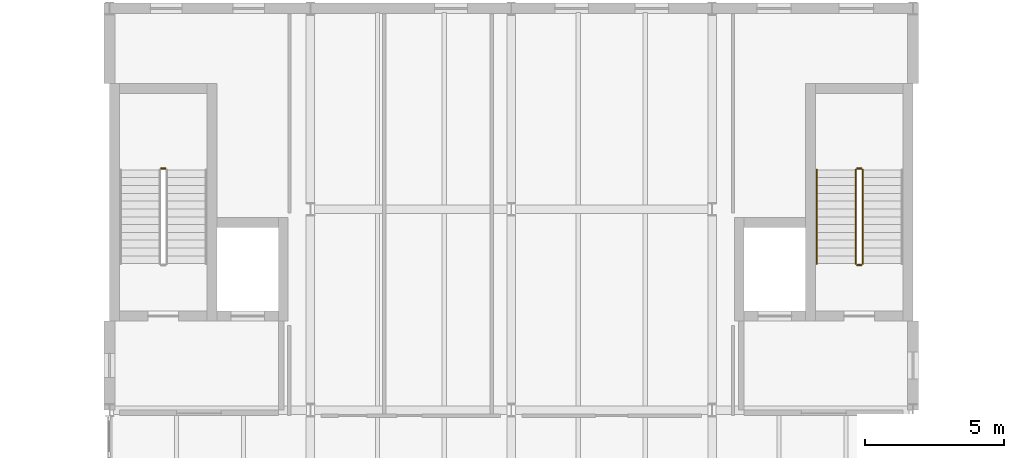
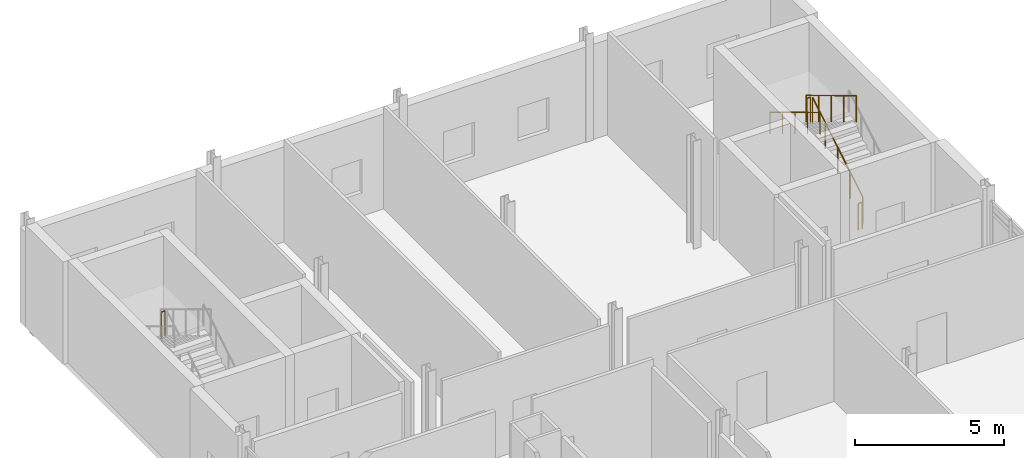
# One storey, part 74 of 76: 6 railings.
"""IFC4 building model written with IfcOpenShell, lengths in metres."""

import ifcopenshell
import ifcopenshell.guid

model = None  # the IFC model being written
_history = None  # IfcOwnerHistory: only IFC2X3 demands one
_inside = {}  # id of a spatial element -> (the spatial element, [elements in it])
_under = {}  # id of a project, library or spatial element -> (it, [spatial elements below it])
_declared = {}  # id of a project -> (the project, [libraries it declares])
_typed = {}  # id of a type object -> (the type object, [elements of that type])
_made_of = {}  # id of a material, layer set ... -> (it, [elements and type objects made of it])


def new_model(schema):
    """Start an empty IFC model of exactly this schema.

    Asked for "IFC4X3", IfcOpenShell would pick the latest addendum, in which some entities
    have other attributes; the version numbers below select the first issue.
    IFC2X3 requires an IfcOwnerHistory on every rooted entity: one is made here for all.
    """
    global model, _history
    if schema == "IFC4X3":
        model = ifcopenshell.file(schema_version=(4, 3, 0, 0))
    else:
        model = ifcopenshell.file(schema=schema)
    _inside.clear()
    _under.clear()
    _declared.clear()
    _typed.clear()
    _made_of.clear()
    _history = None
    if model.schema == "IFC2X3":
        org = make("IfcOrganization", Name="unknown")
        user = make(
            "IfcPersonAndOrganization",
            ThePerson=make("IfcPerson", FamilyName="unknown"),
            TheOrganization=org,
        )
        app = make(
            "IfcApplication",
            ApplicationDeveloper=org,
            Version="unknown",
            ApplicationFullName="unknown",
            ApplicationIdentifier="unknown",
        )
        _history = make(
            "IfcOwnerHistory",
            OwningUser=user,
            OwningApplication=app,
            ChangeAction="ADDED",
            CreationDate=0,
        )
    return model


def make(cls, **values):
    """One entity of the class cls with the attributes given. An attribute that is None is left unset."""
    return model.create_entity(
        cls, **{name: value for name, value in values.items() if value is not None}
    )


def rooted(cls, **values):
    """An entity with a GlobalId (a new one), such as an element, a storey or a relation."""
    return make(cls, GlobalId=ifcopenshell.guid.new(), OwnerHistory=_history, **values)


def si_unit(unit_type, name, prefix=None):
    """IfcSIUnit, for example si_unit("LENGTHUNIT", "METRE", prefix="MILLI")."""
    return make("IfcSIUnit", UnitType=unit_type, Prefix=prefix, Name=name)


def assignment(units):
    """IfcUnitAssignment: the units of a project."""
    return None if units is None else make("IfcUnitAssignment", Units=units)


def point(xyz):
    """IfcCartesianPoint."""
    return None if xyz is None else make("IfcCartesianPoint", Coordinates=xyz)


def direction(xyz):
    """IfcDirection."""
    return None if xyz is None else make("IfcDirection", DirectionRatios=xyz)


def frame(location, z_axis=None, x_axis=None):
    """IfcAxis2Placement3D, a coordinate frame: its origin and axes. An axis left out is left unset."""
    return make(
        "IfcAxis2Placement3D",
        Location=point(location),
        Axis=direction(z_axis),
        RefDirection=direction(x_axis),
    )


def frame_2d(location, x_axis=None):
    """IfcAxis2Placement2D, a coordinate frame in the plane: its origin and x axis."""
    return make(
        "IfcAxis2Placement2D", Location=point(location), RefDirection=direction(x_axis)
    )


def origin():
    """The frame at (0, 0, 0) with its axes left unset."""
    return frame((0.0, 0.0, 0.0))


def origin_2d():
    """The frame at (0, 0) in the plane with its x axis left unset."""
    return frame_2d((0.0, 0.0))


def place(relative_to, where):
    """IfcLocalPlacement: puts the frame where relative to a parent placement (None: the world)."""
    return make(
        "IfcLocalPlacement", PlacementRelTo=relative_to, RelativePlacement=where
    )


def context(
    kind, dimensions, precision=None, world=None, true_north=None, identifier=None
):
    """IfcGeometricRepresentationContext, for example the 3D "Model" context."""
    return make(
        "IfcGeometricRepresentationContext",
        ContextIdentifier=identifier,
        ContextType=kind,
        CoordinateSpaceDimension=dimensions,
        Precision=precision,
        WorldCoordinateSystem=world,
        TrueNorth=true_north,
    )


def subcontext(parent, identifier, kind, view, scale=None):
    """IfcGeometricRepresentationSubContext, for example "Body" below "Model"."""
    return make(
        "IfcGeometricRepresentationSubContext",
        ContextIdentifier=identifier,
        ContextType=kind,
        ParentContext=parent,
        TargetScale=scale,
        TargetView=view,
    )


def project(units=None, contexts=None):
    """IfcProject with its units and contexts."""
    return rooted(
        "IfcProject",
        Name="project",
        RepresentationContexts=contexts,
        UnitsInContext=assignment(units),
    )


def spatial(cls, under=None, at=None, **own):
    """A site, building, storey or space (cls), placed at a placement, below another one or the project."""
    s = rooted(cls, ObjectPlacement=at, **own)
    if under is not None:
        _under.setdefault(under.id(), (under, []))[1].append(s)
    return s


def profile(cls, at=None, kind="AREA", **sizes):
    """A parametric profile (cls). Its sizes go by their IFC names, for example OverallWidth=200.0."""
    return make(cls, ProfileType=kind, Position=at, **sizes)


def circle(**sizes):
    """IfcCircleProfileDef."""
    return profile("IfcCircleProfileDef", **sizes)


def extrude(swept, where, along, depth):
    """IfcExtrudedAreaSolid: the profile swept, set in the frame where, extruded along a direction by depth."""
    return make(
        "IfcExtrudedAreaSolid",
        SweptArea=swept,
        Position=where,
        ExtrudedDirection=direction(along),
        Depth=depth,
    )


def shape(context_of_items, identifier, shape_type, items):
    """IfcShapeRepresentation: the items that make up one representation, for example the "Body"."""
    return make(
        "IfcShapeRepresentation",
        ContextOfItems=context_of_items,
        RepresentationIdentifier=identifier,
        RepresentationType=shape_type,
        Items=items,
    )


def material(Name=None, Category=None):
    """IfcMaterial."""
    return make("IfcMaterial", Name=Name, Category=Category)


def layer(
    of_material, thickness, ventilated=None, Name=None, Category=None, Priority=None
):
    """IfcMaterialLayer: one layer of a wall or slab, of a material (None: an air gap)."""
    return make(
        "IfcMaterialLayer",
        Material=of_material,
        LayerThickness=thickness,
        IsVentilated=ventilated,
        Name=Name,
        Category=Category,
        Priority=Priority,
    )


def layer_set(layers, Name=None):
    """IfcMaterialLayerSet."""
    return make("IfcMaterialLayerSet", MaterialLayers=layers, LayerSetName=Name)


def made_of(thing, what):
    """Note that an element or type object is made of a material, layer set ...; save() writes the relation."""
    if what is not None:
        _made_of.setdefault(what.id(), (what, []))[1].append(thing)
    return thing


def type_object(cls, material=None, **own):
    """A type object (cls), such as IfcWallType, which elements share."""
    return made_of(rooted(cls, **own), material)


def element(
    cls,
    number,
    at=None,
    inside=None,
    cuts=None,
    type_object=None,
    material=None,
    context=None,
    identifier="Body",
    shape_type=None,
    held_by="IfcProductDefinitionShape",
    body=None,
    shapes=None,
    **own,
):
    """One element of the class cls, such as IfcWall. Its Tag is "e" and its number.

    at: its placement. inside: the storey or other place that contains it. cuts: it is an
    opening in that element (IfcRelVoidsElement). A single representation is given by context,
    identifier, shape_type and body (its items); several are given by shapes. held_by: the class
    of the entity that holds the representations. save() writes the other relations.
    """
    e = rooted(cls, Tag="e%d" % number, ObjectPlacement=at, **own)
    if body is not None:
        shapes = [shape(context, identifier, shape_type, body)]
    if shapes is not None:
        e.Representation = make(held_by, Representations=shapes)
    if inside is not None:
        _inside.setdefault(inside.id(), (inside, []))[1].append(e)
    if cuts is not None:
        rooted(
            "IfcRelVoidsElement", RelatingBuildingElement=cuts, RelatedOpeningElement=e
        )
    if type_object is not None:
        _typed.setdefault(type_object.id(), (type_object, []))[1].append(e)
    return made_of(e, material)


def aggregate(whole, parts):
    """IfcRelAggregates: a whole, such as a stair, and the parts it consists of."""
    return rooted("IfcRelAggregates", RelatingObject=whole, RelatedObjects=parts)


def save(model, path):
    """Write the relations noted so far, then the file.

    IfcRelAggregates (storeys below a building ...), IfcRelContainedInSpatialStructure (elements
    in a storey), IfcRelDefinesByType, IfcRelAssociatesMaterial and IfcRelDeclares: one each for
    every whole, place, type object, material and project.
    """
    for whole, parts in _under.values():
        aggregate(whole, parts)
    for where, things in _inside.values():
        rooted(
            "IfcRelContainedInSpatialStructure",
            RelatedElements=things,
            RelatingStructure=where,
        )
    for kind, things in _typed.values():
        rooted("IfcRelDefinesByType", RelatedObjects=things, RelatingType=kind)
    for what, things in _made_of.values():
        rooted("IfcRelAssociatesMaterial", RelatedObjects=things, RelatingMaterial=what)
    for by, libraries in _declared.values():
        rooted("IfcRelDeclares", RelatingContext=by, RelatedDefinitions=libraries)
    model.write(path)


model = new_model("IFC4")

# Units and contexts
model_context = context("Model", 3, precision=1e-05, world=origin(), true_north=direction((0.0, 1.0)))
body_context = subcontext(model_context, "Body", "Model", "MODEL_VIEW")
ifc_project = project(units=[si_unit("LENGTHUNIT", "METRE"), si_unit("AREAUNIT", "SQUARE_METRE"), si_unit("VOLUMEUNIT", "CUBIC_METRE"), si_unit("PLANEANGLEUNIT", "RADIAN"), si_unit("MASSUNIT", "GRAM", prefix="KILO")], contexts=[model_context])

# Site, building, storey
site_placement = place(None, origin())
site = spatial("IfcSite", under=ifc_project, at=site_placement, CompositionType="ELEMENT")
building_placement = place(site_placement, origin())
building = spatial("IfcBuilding", under=site, at=building_placement, Name="Zarrinpeak Specialist Clinic", CompositionType="ELEMENT")
storey_placement = place(building_placement, frame((0.0, 0.0, 5.199951171875)))
storey = spatial("IfcBuildingStorey", under=building, at=storey_placement, Name="L01", CompositionType="ELEMENT", Elevation=5.199951171875)

# Railings
ifc_material_1 = material(Name="Laminated Safety Glass and Stainless Steel 316", Category="steel")
ifc_layer_1 = layer(ifc_material_1, 0.06005859375)
ifc_layer_set_1 = layer_set([ifc_layer_1], Name="Laminated Safety Glass and Stainless Steel 316")
railing_type_1 = type_object("IfcRailingType", Name="RL-GRD115", PredefinedType="GUARDRAIL", material=ifc_layer_set_1)
railing_1_placement = place(storey_placement, frame((38.0, 112.260009765625, 2.199951171875)))
element("IfcRailing", 1, at=railing_1_placement, inside=storey, type_object=railing_type_1, Name="L01 ST-11 stair guard 2", PredefinedType="GUARDRAIL", context=body_context, shape_type="SweptSolid", body=[
    extrude(circle(Radius=0.02392578125, at=origin_2d()), frame((0.0, 0.0, 1.076171875), z_axis=(-1.0, 0.0, 0.0), x_axis=(0.0, -1.0, 0.0)), (0.0, 0.0, 1.0), 0.14990234375),
    extrude(circle(Radius=0.02099609375, at=origin_2d()), origin(), (0.0, 0.0, 1.0), 1.052001953125),
    extrude(circle(Radius=0.02099609375, at=origin_2d()), frame((-0.14990234375, 0.0, 0.0)), (0.0, 0.0, 1.0), 1.052001953125),
])
railing_2_placement = place(storey_placement, frame((63.0, 108.85009765625, 0.169189453125)))
element("IfcRailing", 2, at=railing_2_placement, inside=storey, type_object=railing_type_1, Name="L01 ST-12 stair guard 1", PredefinedType="GUARDRAIL", context=body_context, shape_type="SweptSolid", body=[
    extrude(circle(Radius=0.02392578125, at=origin_2d()), frame((0.0, 0.0, 1.076171875), z_axis=(0.0, 0.855820338506, 0.51727318527), x_axis=(-1.0, 0.0, 0.0)), (0.0, 0.0, 1.0), 3.92578125),
    extrude(circle(Radius=0.02099609375, at=origin_2d()), origin(), (0.0, 0.0, 1.0), 1.052001953125),
    extrude(circle(Radius=0.02099609375, at=origin_2d()), frame((0.0, 0.83984375, 0.5078125)), (0.0, 0.0, 1.0), 1.052001953125),
    extrude(circle(Radius=0.02099609375, at=origin_2d()), frame((0.0, 1.679931640625, 1.015380859375)), (0.0, 0.0, 1.0), 1.052001953125),
    extrude(circle(Radius=0.02099609375, at=origin_2d()), frame((0.0, 2.52001953125, 1.52294921875)), (0.0, 0.0, 1.0), 1.052001953125),
    extrude(circle(Radius=0.02099609375, at=origin_2d()), frame((0.0, 3.35986328125, 2.03076171875)), (0.0, 0.0, 1.0), 1.052001953125),
])
railing_3_placement = place(storey_placement, frame((62.949951171875, 112.260009765625, 2.199951171875)))
element("IfcRailing", 3, at=railing_3_placement, inside=storey, type_object=railing_type_1, Name="L01 ST-12 stair guard 2", PredefinedType="GUARDRAIL", context=body_context, shape_type="SweptSolid", body=[
    extrude(circle(Radius=0.02392578125, at=origin_2d()), frame((0.0, 0.0, 1.076171875), z_axis=(-1.0, 0.0, 0.0), x_axis=(0.0, -1.0, 0.0)), (0.0, 0.0, 1.0), 0.14990234375),
    extrude(circle(Radius=0.02099609375, at=origin_2d()), origin(), (0.0, 0.0, 1.0), 1.052001953125),
    extrude(circle(Radius=0.02099609375, at=origin_2d()), frame((-0.14990234375, 0.0, 0.0)), (0.0, 0.0, 1.0), 1.052001953125),
])
railing_4_placement = place(storey_placement, frame((62.75, 112.2099609375, 2.369384765625)))
element("IfcRailing", 4, at=railing_4_placement, inside=storey, type_object=railing_type_1, Name="L01 ST-12 stair guard 3", PredefinedType="GUARDRAIL", context=body_context, shape_type="SweptSolid", body=[
    extrude(circle(Radius=0.02392578125, at=origin_2d()), frame((0.0, 0.0, 1.076171875), z_axis=(0.0, -0.855820338506, 0.51727318527), x_axis=(1.0, 0.0, 0.0)), (0.0, 0.0, 1.0), 3.92578125),
    extrude(circle(Radius=0.02099609375, at=origin_2d()), origin(), (0.0, 0.0, 1.0), 1.052001953125),
    extrude(circle(Radius=0.02099609375, at=origin_2d()), frame((0.0, -0.83984375, 0.5078125)), (0.0, 0.0, 1.0), 1.052001953125),
    extrude(circle(Radius=0.02099609375, at=origin_2d()), frame((0.0, -1.679931640625, 1.015380859375)), (0.0, 0.0, 1.0), 1.052001953125),
    extrude(circle(Radius=0.02099609375, at=origin_2d()), frame((0.0, -2.52001953125, 1.52294921875)), (0.0, 0.0, 1.0), 1.052001953125),
    extrude(circle(Radius=0.02099609375, at=origin_2d()), frame((0.0, -3.35986328125, 2.03076171875)), (0.0, 0.0, 1.0), 1.052001953125),
])
railing_5_placement = place(storey_placement, frame((62.949951171875, 108.800048828125, 0.0)))
element("IfcRailing", 5, at=railing_5_placement, inside=storey, type_object=railing_type_1, Name="L01 ST-12 stair guard 4", PredefinedType="GUARDRAIL", context=body_context, shape_type="SweptSolid", body=[
    extrude(circle(Radius=0.02392578125, at=origin_2d()), frame((0.0, 0.0, 1.076171875), z_axis=(-1.0, 0.0, 0.0), x_axis=(0.0, -1.0, 0.0)), (0.0, 0.0, 1.0), 0.14990234375),
    extrude(circle(Radius=0.02099609375, at=origin_2d()), origin(), (0.0, 0.0, 1.0), 1.052001953125),
    extrude(circle(Radius=0.02099609375, at=origin_2d()), frame((-0.14990234375, 0.0, 0.0)), (0.0, 0.0, 1.0), 1.052001953125),
])
ifc_material_2 = material(Name="Brushed Stainless Steel 316 Handrail", Category="steel")
ifc_layer_2 = layer(ifc_material_2, 0.050048828125)
ifc_layer_set_2 = layer_set([ifc_layer_2], Name="Brushed Stainless Steel 316 Handrail")
railing_type_2 = type_object("IfcRailingType", Name="RL-HND92", PredefinedType="HANDRAIL", material=ifc_layer_set_2)
railing_6_placement = place(storey_placement, frame((61.35009765625, 112.2099609375, 2.369384765625)))
element("IfcRailing", 6, at=railing_6_placement, inside=storey, type_object=railing_type_2, Name="L01 ST-12 stair handrail 2", PredefinedType="HANDRAIL", context=body_context, shape_type="SweptSolid", body=[
    extrude(circle(Radius=0.02392578125, at=origin_2d()), frame((0.0, 0.0, 0.8759765625), z_axis=(0.0, -0.855820338506, 0.51727318527), x_axis=(1.0, 0.0, 0.0)), (0.0, 0.0, 1.0), 3.92578125),
    extrude(circle(Radius=0.02099609375, at=origin_2d()), origin(), (0.0, 0.0, 1.0), 0.851806640625),
    extrude(circle(Radius=0.02099609375, at=origin_2d()), frame((0.0, -0.83984375, 0.5078125)), (0.0, 0.0, 1.0), 0.851806640625),
    extrude(circle(Radius=0.02099609375, at=origin_2d()), frame((0.0, -1.679931640625, 1.015380859375)), (0.0, 0.0, 1.0), 0.851806640625),
    extrude(circle(Radius=0.02099609375, at=origin_2d()), frame((0.0, -2.52001953125, 1.52294921875)), (0.0, 0.0, 1.0), 0.851806640625),
    extrude(circle(Radius=0.02099609375, at=origin_2d()), frame((0.0, -3.35986328125, 2.03076171875)), (0.0, 0.0, 1.0), 0.851806640625),
])

save(model, "model.ifc")
